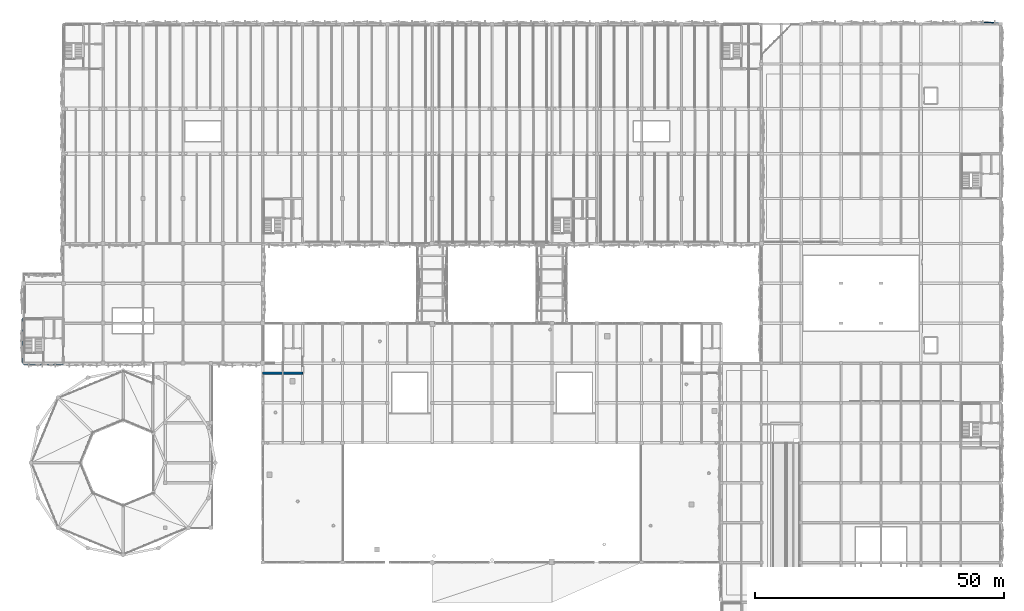
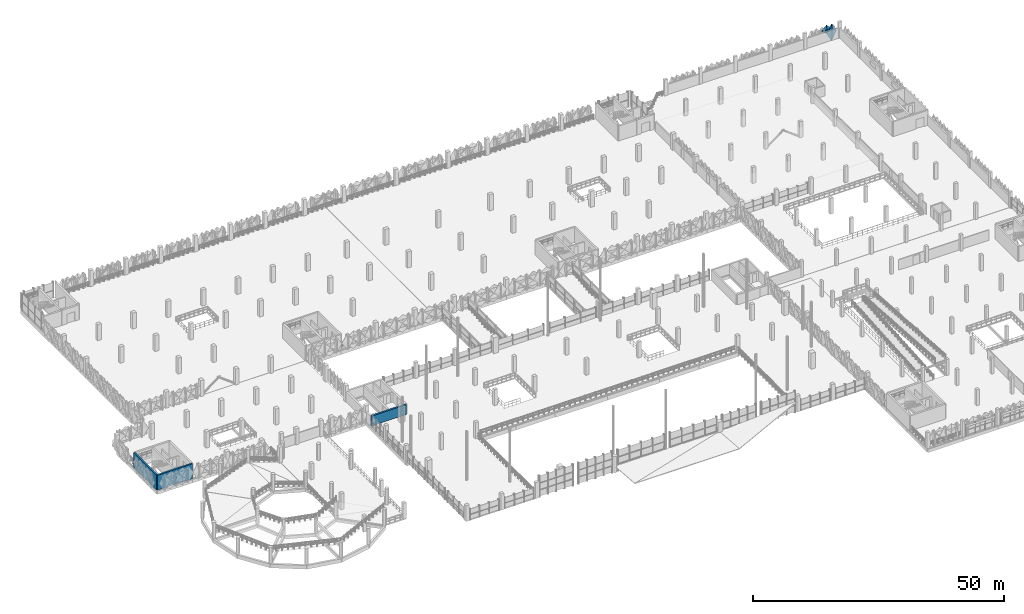
# One storey, part 73 of 123: 3 walls, 2 plates.
"""IFC4 building model written with IfcOpenShell, lengths in metres."""

from ifc_helpers import new_model, si_unit, derived_unit, direction, frame, frame_2d, origin, place, context, subcontext, project, spatial, rectangle, extrude, polygons, material, layer, layer_set, type_object, element, save


model = new_model("IFC4")

# Units and contexts
model_context = context("Model", 3, precision=1e-05, world=origin(), true_north=direction((0.0, 1.0)))
body_context = subcontext(model_context, "Body", "Model", "MODEL_VIEW")
ifc_project = project(units=[si_unit("LENGTHUNIT", "METRE"), si_unit("AREAUNIT", "SQUARE_METRE"), si_unit("VOLUMEUNIT", "CUBIC_METRE"), si_unit("PLANEANGLEUNIT", "RADIAN"), si_unit("MASSUNIT", "GRAM", prefix="KILO"), si_unit("THERMODYNAMICTEMPERATUREUNIT", "KELVIN"), derived_unit("THERMALTRANSMITTANCEUNIT", [(si_unit("POWERUNIT", "WATT"), 1), (si_unit("AREAUNIT", "SQUARE_METRE"), -1), (si_unit("THERMODYNAMICTEMPERATUREUNIT", "KELVIN"), -1)])], contexts=[model_context])

# Site, building, storey
site_placement = place(None, origin())
site = spatial("IfcSite", under=ifc_project, at=site_placement, CompositionType="ELEMENT")
building_placement = place(site_placement, origin())
building = spatial("IfcBuilding", under=site, at=building_placement, Name="Haiyu Intermodal Mobility Hub", CompositionType="ELEMENT")
storey_placement = place(building_placement, frame((0.0, 0.0, 5.60009765625)))
storey = spatial("IfcBuildingStorey", under=building, at=storey_placement, Name="L01", CompositionType="ELEMENT", Elevation=5.60009765625)

# Plates
ifc_material_1 = material(Name="Anodised aluminium 6063-T6", Category="aluminium")
ifc_layer_1 = layer(ifc_material_1, 0.02001953125)
ifc_layer_set_1 = layer_set([ifc_layer_1], Name="Anodised aluminium 6063-T6")
plate_type_1 = type_object("IfcPlateType", Name="PLT-FC04", PredefinedType="USERDEFINED", material=ifc_layer_set_1)
plate_1_placement = place(storey_placement, origin())
element("IfcPlate", 1, at=plate_1_placement, inside=storey, type_object=plate_type_1, Name="PLT-PYR-1099", ObjectType="FACADE CASSETTE", PredefinedType="USERDEFINED", context=body_context, shape_type="Tessellation", body=[
    polygons([(208.346923828125, 148.39990234375, -0.510009765625), (207.193115234375, 148.39990234375, 1.599853515625), (208.346923828125, 148.39990234375, 3.7099609375), (209.5, 148.39990234375, 1.599853515625), (208.346923828125, 148.139892578125, 1.599853515625), (208.346923828125, 148.3779296875, -0.510009765625), (207.193115234375, 148.3779296875, 1.599853515625), (208.346923828125, 148.3779296875, 3.7099609375), (209.5, 148.3779296875, 1.599853515625), (208.346923828125, 148.117919921875, 1.599853515625)], [[[1, 2, 5]], [[2, 3, 5]], [[3, 4, 5]], [[4, 1, 5]], [[7, 6, 10]], [[8, 7, 10]], [[9, 8, 10]], [[6, 9, 10]], [[1, 6, 7, 2]], [[2, 7, 8, 3]], [[3, 8, 9, 4]], [[4, 9, 6, 1]]], closed=True),
])
ifc_layer_2 = layer(ifc_material_1, 0.02001953125)
ifc_layer_set_2 = layer_set([ifc_layer_2], Name="Anodised aluminium 6063-T6")
plate_type_2 = type_object("IfcPlateType", Name="PLT-FC06", PredefinedType="USERDEFINED", material=ifc_layer_set_2)
plate_2_placement = place(storey_placement, origin())
element("IfcPlate", 2, at=plate_2_placement, inside=storey, type_object=plate_type_2, Name="PLT-PYR-1101", ObjectType="FACADE CASSETTE", PredefinedType="USERDEFINED", context=body_context, shape_type="Tessellation", body=[
    polygons([(207.173095703125, 148.39990234375, 1.619873046875), (206.02001953125, 148.39990234375, 2.669921875), (207.173095703125, 148.39990234375, 3.719970703125), (208.326904296875, 148.39990234375, 2.669921875), (207.173095703125, 148.179931640625, 2.669921875), (207.173095703125, 148.3779296875, 1.619873046875), (206.02001953125, 148.3779296875, 2.669921875), (207.173095703125, 148.3779296875, 3.719970703125), (208.326904296875, 148.3779296875, 2.669921875), (207.173095703125, 148.157958984375, 2.669921875)], [[[1, 2, 5]], [[2, 3, 5]], [[3, 4, 5]], [[4, 1, 5]], [[7, 6, 10]], [[8, 7, 10]], [[9, 8, 10]], [[6, 9, 10]], [[1, 6, 7, 2]], [[2, 7, 8, 3]], [[3, 8, 9, 4]], [[4, 9, 6, 1]]], closed=True),
])

# Walls
ifc_material_2 = material(Name="Concrete C40", Category="concrete")
ifc_layer_3 = layer(ifc_material_2, 0.39990234375)
ifc_layer_set_3 = layer_set([ifc_layer_3], Name="Concrete C40")
wall_type_1 = type_object("IfcWallType", Name="WAL-WS01", PredefinedType="SHEAR", material=ifc_layer_set_3)
wall_1_placement = place(storey_placement, frame((62.0, 78.0, 0.0), z_axis=(0.0, 0.0, 1.0), x_axis=(1.0, 0.0, 0.0)))
element("IfcWall", 3, at=wall_1_placement, inside=storey, type_object=wall_type_1, Name="WAL-CORE-C1-S-L01", PredefinedType="SHEAR", context=body_context, shape_type="SweptSolid", body=[
    extrude(rectangle(XDim=8.0, YDim=0.39990234375, at=frame_2d((4.0, 0.0))), origin(), (0.0, 0.0, 1.0), 2.39990234375),
])
ifc_layer_4 = layer(ifc_material_2, 0.3798828125)
ifc_layer_set_4 = layer_set([ifc_layer_4], Name="Concrete C40")
wall_type_2 = type_object("IfcWallType", Name="WAL-WS03", PredefinedType="SHEAR", material=ifc_layer_set_4)
wall_2_placement = place(storey_placement, frame((14.0, 80.0, 0.0), z_axis=(0.0, 0.0, 1.0), x_axis=(1.0, 0.0, 0.0)))
element("IfcWall", 4, at=wall_2_placement, inside=storey, type_object=wall_type_2, Name="WAL-CORE-C7-S-L01", PredefinedType="SHEAR", context=body_context, shape_type="SweptSolid", body=[
    extrude(rectangle(XDim=8.0, YDim=0.3798828125, at=frame_2d((4.0, 0.0))), origin(), (0.0, 0.0, 1.0), 3.619873046875),
])
wall_3_placement = place(storey_placement, frame((14.0, 89.0, 0.0), z_axis=(0.0, 0.0, 1.0), x_axis=(0.0, -1.0, 0.0)))
element("IfcWall", 5, at=wall_3_placement, inside=storey, type_object=wall_type_2, Name="WAL-CORE-C7-W-L01", PredefinedType="SHEAR", context=body_context, shape_type="SweptSolid", body=[
    extrude(rectangle(XDim=9.0, YDim=0.3798828125, at=frame_2d((4.5, 0.0))), origin(), (0.0, 0.0, 1.0), 3.619873046875),
])

save(model, "model.ifc")
